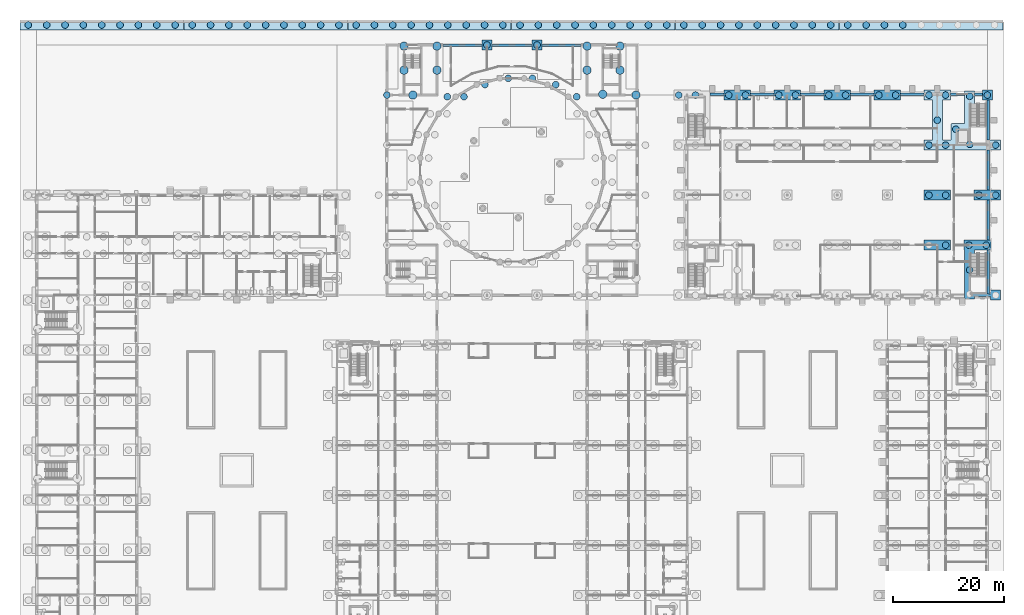
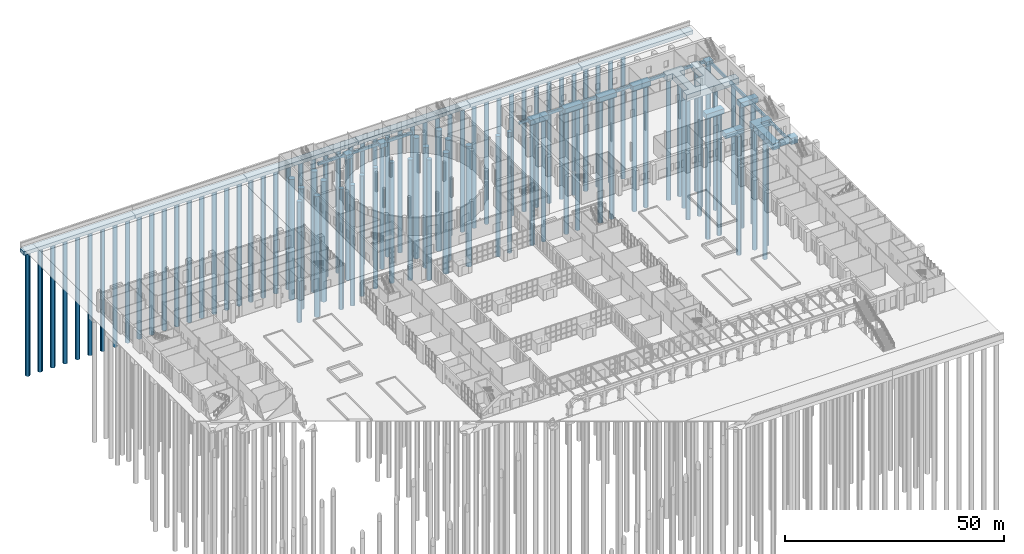
# One storey, part 8 of 168: 98 piles, 32 footings.
"""IFC4 building model written with IfcOpenShell, lengths in metres."""

from ifc_helpers import new_model, si_unit, direction, frame, origin, origin_2d, place, context, subcontext, project, spatial, polyline, circle, outline, extrude, material, material_profile, profile_set, type_object, element, save


model = new_model("IFC4")

# Units and contexts
model_context = context("Model", 3, precision=1e-05, world=origin(), true_north=direction((0.0, 1.0)))
body_context = subcontext(model_context, "Body", "Model", "MODEL_VIEW")
ifc_project = project(units=[si_unit("LENGTHUNIT", "METRE"), si_unit("AREAUNIT", "SQUARE_METRE"), si_unit("VOLUMEUNIT", "CUBIC_METRE"), si_unit("PLANEANGLEUNIT", "RADIAN"), si_unit("MASSUNIT", "GRAM", prefix="KILO")], contexts=[model_context])

# Site, building, storey
site_placement = place(None, origin())
site = spatial("IfcSite", under=ifc_project, at=site_placement, CompositionType="ELEMENT")
building_placement = place(site_placement, origin())
building = spatial("IfcBuilding", under=site, at=building_placement, Name="Golden Quay Civic Hall", CompositionType="ELEMENT")
storey_placement = place(building_placement, origin())
storey = spatial("IfcBuildingStorey", under=building, at=storey_placement, Name="L00", CompositionType="ELEMENT", Elevation=0.0)

# Piles
ifc_material_1 = material(Name="Concrete C40/50", Category="concrete")
ifc_material_profile_1 = material_profile(ifc_material_1, circle(Radius=0.60009765625, at=origin_2d()), Name="RC D1200")
ifc_profile_set_1 = profile_set([ifc_material_profile_1], Name="Concrete C40/50")
pile_type_1 = type_object("IfcPileType", Name="Bored pile 1200", PredefinedType="BORED", material=ifc_profile_set_1)
for number, where, z_axis, x_axis, name in (
    (1, (63.0, 99.0, -2.300048828125), (0.0, 0.0, -1.0), (1.0, 0.0, 0.0), "PL1 bored pile"),
    (2, (73.868896484375, 98.702880859375, -2.300048828125), (0.0, 0.0, -1.0), (1.0, 0.0, 0.0), "PL1 bored pile"),
    (3, (76.868896484375, 98.702880859375, -2.300048828125), (0.0, 0.0, -1.0), (1.0, 0.0, 0.0), "PL1 bored pile"),
    (4, (80.631103515625, 100.8759765625, -2.300048828125), (0.0, 0.0, -1.0), (1.0, 0.0, 0.0), "PL1 bored pile"),
    (5, (84.827880859375, 102.0, -2.300048828125), (0.0, 0.0, -1.0), (1.0, 0.0, 0.0), "PL1 bored pile"),
    (6, (89.172119140625, 102.0, -2.300048828125), (0.0, 0.0, -1.0), (1.0, 0.0, 0.0), "PL1 bored pile"),
    (7, (93.368896484375, 100.8759765625, -2.300048828125), (0.0, 0.0, -1.0), (1.0, 0.0, 0.0), "PL1 bored pile"),
    (8, (97.131103515625, 98.702880859375, -2.300048828125), (0.0, 0.0, -1.0), (1.0, 0.0, 0.0), "PL1 bored pile"),
):
    element("IfcPile", number, at=place(storey_placement, frame(where, z_axis=z_axis, x_axis=x_axis)), inside=storey, type_object=pile_type_1, Name=name, PredefinedType="BORED", context=body_context, shape_type="SweptSolid", body=[
        extrude(circle(Radius=0.60009765625, at=origin_2d()), origin(), (0.0, 0.0, 1.0), 33.699951171875),
    ])
for number, where, z_axis, x_axis, name in (
    (9, (81.0, 108.0, -1.699951171875), (0.0, 0.0, -1.0), (1.0, 0.0, 0.0), "PL1 bored pile"),
    (10, (90.0, 108.0, -1.699951171875), (0.0, 0.0, -1.0), (1.0, 0.0, 0.0), "PL1 bored pile"),
):
    element("IfcPile", number, at=place(storey_placement, frame(where, z_axis=z_axis, x_axis=x_axis)), inside=storey, type_object=pile_type_1, Name=name, PredefinedType="BORED", context=body_context, shape_type="SweptSolid", body=[
        extrude(circle(Radius=0.60009765625, at=origin_2d()), origin(), (0.0, 0.0, 1.0), 34.300048828125),
    ])
for number, where, z_axis, x_axis, name in (
    (11, (115.5, 99.0, -2.300048828125), (0.0, 0.0, -1.0), (1.0, 0.0, 0.0), "PL1 bored pile"),
    (12, (118.5, 99.0, -2.300048828125), (0.0, 0.0, -1.0), (1.0, 0.0, 0.0), "PL1 bored pile"),
):
    element("IfcPile", number, at=place(storey_placement, frame(where, z_axis=z_axis, x_axis=x_axis)), inside=storey, type_object=pile_type_1, Name=name, PredefinedType="BORED", context=body_context, shape_type="SweptSolid", body=[
        extrude(circle(Radius=0.60009765625, at=origin_2d()), origin(), (0.0, 0.0, 1.0), 33.699951171875),
    ])
for number, where, z_axis, x_axis, name in (
    (13, (124.5, 99.0, -1.89990234375), (0.0, 0.0, -1.0), (1.0, 0.0, 0.0), "PL1 bored pile"),
    (14, (127.5, 99.0, -1.89990234375), (0.0, 0.0, -1.0), (1.0, 0.0, 0.0), "PL1 bored pile"),
    (15, (133.5, 99.0, -1.89990234375), (0.0, 0.0, -1.0), (1.0, 0.0, 0.0), "PL1 bored pile"),
    (16, (136.5, 99.0, -1.89990234375), (0.0, 0.0, -1.0), (1.0, 0.0, 0.0), "PL1 bored pile"),
    (17, (142.5, 99.0, -1.89990234375), (0.0, 0.0, -1.0), (1.0, 0.0, 0.0), "PL1 bored pile"),
    (18, (145.5, 99.0, -1.89990234375), (0.0, 0.0, -1.0), (1.0, 0.0, 0.0), "PL1 bored pile"),
    (19, (151.5, 99.0, -1.89990234375), (0.0, 0.0, -1.0), (1.0, 0.0, 0.0), "PL1 bored pile"),
    (20, (154.5, 99.0, -1.89990234375), (0.0, 0.0, -1.0), (1.0, 0.0, 0.0), "PL1 bored pile"),
    (21, (163.5, 72.0, -1.89990234375), (0.0, 0.0, -1.0), (1.0, 0.0, 0.0), "PL1 bored pile"),
    (22, (160.5, 81.0, -1.89990234375), (0.0, 0.0, -1.0), (1.0, 0.0, 0.0), "PL1 bored pile"),
    (23, (163.5, 81.0, -1.89990234375), (0.0, 0.0, -1.0), (1.0, 0.0, 0.0), "PL1 bored pile"),
):
    element("IfcPile", number, at=place(storey_placement, frame(where, z_axis=z_axis, x_axis=x_axis)), inside=storey, type_object=pile_type_1, Name=name, PredefinedType="BORED", context=body_context, shape_type="SweptSolid", body=[
        extrude(circle(Radius=0.60009765625, at=origin_2d()), origin(), (0.0, 0.0, 1.0), 34.10009765625),
    ])
for number, where, z_axis, x_axis, name in (
    (24, (160.5, 90.0, -2.300048828125), (0.0, 0.0, -1.0), (1.0, 0.0, 0.0), "PL1 bored pile"),
    (25, (160.5, 99.0, -2.300048828125), (0.0, 0.0, -1.0), (1.0, 0.0, 0.0), "PL1 bored pile"),
    (26, (162.0, 94.47509765625, -2.300048828125), (0.0, 0.0, -1.0), (1.0, 0.0, 0.0), "PL1 bored pile"),
    (27, (163.5, 90.0, -2.300048828125), (0.0, 0.0, -1.0), (1.0, 0.0, 0.0), "PL1 bored pile"),
    (28, (163.5, 99.0, -2.300048828125), (0.0, 0.0, -1.0), (1.0, 0.0, 0.0), "PL1 bored pile"),
    (29, (165.35009765625, 92.85009765625, -2.300048828125), (0.0, 0.0, -1.0), (1.0, 0.0, 0.0), "PL1 bored pile"),
    (30, (167.824951171875, 90.125, -2.300048828125), (0.0, 0.0, -1.0), (1.0, 0.0, 0.0), "PL1 bored pile"),
    (31, (167.824951171875, 98.800048828125, -2.300048828125), (0.0, 0.0, -1.0), (1.0, 0.0, 0.0), "PL1 bored pile"),
    (32, (172.5, 90.0, -2.300048828125), (0.0, 0.0, -1.0), (1.0, 0.0, 0.0), "PL1 bored pile"),
    (33, (167.699951171875, 72.0, -2.300048828125), (0.0, 0.0, -1.0), (1.0, 0.0, 0.0), "PL1 bored pile"),
    (34, (167.824951171875, 67.537109375, -2.300048828125), (0.0, 0.0, -1.0), (1.0, 0.0, 0.0), "PL1 bored pile"),
    (35, (170.800048828125, 72.0, -2.300048828125), (0.0, 0.0, -1.0), (1.0, 0.0, 0.0), "PL1 bored pile"),
):
    element("IfcPile", number, at=place(storey_placement, frame(where, z_axis=z_axis, x_axis=x_axis)), inside=storey, type_object=pile_type_1, Name=name, PredefinedType="BORED", context=body_context, shape_type="SweptSolid", body=[
        extrude(circle(Radius=0.60009765625, at=origin_2d()), origin(), (0.0, 0.0, 1.0), 33.699951171875),
    ])
for number, where, z_axis, x_axis, name in (
    (36, (169.5, 81.0, -1.89990234375), (0.0, 0.0, -1.0), (1.0, 0.0, 0.0), "PL1 bored pile"),
    (37, (172.5, 81.0, -1.89990234375), (0.0, 0.0, -1.0), (1.0, 0.0, 0.0), "PL1 bored pile"),
):
    element("IfcPile", number, at=place(storey_placement, frame(where, z_axis=z_axis, x_axis=x_axis)), inside=storey, type_object=pile_type_1, Name=name, PredefinedType="BORED", context=body_context, shape_type="SweptSolid", body=[
        extrude(circle(Radius=0.60009765625, at=origin_2d()), origin(), (0.0, 0.0, 1.0), 34.10009765625),
    ])
pile_placement = place(storey_placement, frame((171.0, 99.0, -1.699951171875), z_axis=(0.0, 0.0, -1.0), x_axis=(1.0, 0.0, 0.0)))
element("IfcPile", 38, at=pile_placement, inside=storey, type_object=pile_type_1, Name="PL1 bored pile", PredefinedType="BORED", context=body_context, shape_type="SweptSolid", body=[
    extrude(circle(Radius=0.60009765625, at=origin_2d()), origin(), (0.0, 0.0, 1.0), 34.300048828125),
])
for number, where, z_axis, x_axis, name in (
    (39, (-1.5, 111.60009765625, -1.60009765625), (0.0, 0.0, -1.0), (1.0, 0.0, 0.0), "PL1 bored pile"),
    (40, (1.800048828125, 111.60009765625, -1.60009765625), (0.0, 0.0, -1.0), (1.0, 0.0, 0.0), "PL1 bored pile"),
    (41, (5.10009765625, 111.60009765625, -1.60009765625), (0.0, 0.0, -1.0), (1.0, 0.0, 0.0), "PL1 bored pile"),
    (42, (8.39990234375, 111.60009765625, -1.60009765625), (0.0, 0.0, -1.0), (1.0, 0.0, 0.0), "PL1 bored pile"),
    (43, (11.699951171875, 111.60009765625, -1.60009765625), (0.0, 0.0, -1.0), (1.0, 0.0, 0.0), "PL1 bored pile"),
    (44, (15.0, 111.60009765625, -1.60009765625), (0.0, 0.0, -1.0), (1.0, 0.0, 0.0), "PL1 bored pile"),
    (45, (18.300048828125, 111.60009765625, -1.60009765625), (0.0, 0.0, -1.0), (1.0, 0.0, 0.0), "PL1 bored pile"),
    (46, (21.60009765625, 111.60009765625, -1.60009765625), (0.0, 0.0, -1.0), (1.0, 0.0, 0.0), "PL1 bored pile"),
    (47, (24.89990234375, 111.60009765625, -1.60009765625), (0.0, 0.0, -1.0), (1.0, 0.0, 0.0), "PL1 bored pile"),
    (48, (27.97998046875, 111.60009765625, -1.60009765625), (0.0, 0.0, -1.0), (1.0, 0.0, 0.0), "PL1 bored pile"),
    (49, (31.280029296875, 111.60009765625, -1.60009765625), (0.0, 0.0, -1.0), (1.0, 0.0, 0.0), "PL1 bored pile"),
    (50, (34.580078125, 111.60009765625, -1.60009765625), (0.0, 0.0, -1.0), (1.0, 0.0, 0.0), "PL1 bored pile"),
    (51, (37.8798828125, 111.60009765625, -1.60009765625), (0.0, 0.0, -1.0), (1.0, 0.0, 0.0), "PL1 bored pile"),
    (52, (41.179931640625, 111.60009765625, -1.60009765625), (0.0, 0.0, -1.0), (1.0, 0.0, 0.0), "PL1 bored pile"),
    (53, (44.47998046875, 111.60009765625, -1.60009765625), (0.0, 0.0, -1.0), (1.0, 0.0, 0.0), "PL1 bored pile"),
    (54, (47.780029296875, 111.60009765625, -1.60009765625), (0.0, 0.0, -1.0), (1.0, 0.0, 0.0), "PL1 bored pile"),
    (55, (51.080078125, 111.60009765625, -1.60009765625), (0.0, 0.0, -1.0), (1.0, 0.0, 0.0), "PL1 bored pile"),
    (56, (54.3798828125, 111.60009765625, -1.60009765625), (0.0, 0.0, -1.0), (1.0, 0.0, 0.0), "PL1 bored pile"),
    (57, (57.4599609375, 111.60009765625, -1.60009765625), (0.0, 0.0, -1.0), (1.0, 0.0, 0.0), "PL1 bored pile"),
    (58, (60.760009765625, 111.60009765625, -1.60009765625), (0.0, 0.0, -1.0), (1.0, 0.0, 0.0), "PL1 bored pile"),
    (59, (64.06005859375, 111.60009765625, -1.60009765625), (0.0, 0.0, -1.0), (1.0, 0.0, 0.0), "PL1 bored pile"),
    (60, (67.360107421875, 111.60009765625, -1.60009765625), (0.0, 0.0, -1.0), (1.0, 0.0, 0.0), "PL1 bored pile"),
    (61, (70.659912109375, 111.60009765625, -1.60009765625), (0.0, 0.0, -1.0), (1.0, 0.0, 0.0), "PL1 bored pile"),
    (62, (73.9599609375, 111.60009765625, -1.60009765625), (0.0, 0.0, -1.0), (1.0, 0.0, 0.0), "PL1 bored pile"),
    (63, (77.260009765625, 111.60009765625, -1.60009765625), (0.0, 0.0, -1.0), (1.0, 0.0, 0.0), "PL1 bored pile"),
    (64, (80.56005859375, 111.60009765625, -1.60009765625), (0.0, 0.0, -1.0), (1.0, 0.0, 0.0), "PL1 bored pile"),
    (65, (83.860107421875, 111.60009765625, -1.60009765625), (0.0, 0.0, -1.0), (1.0, 0.0, 0.0), "PL1 bored pile"),
    (66, (86.93994140625, 111.60009765625, -1.60009765625), (0.0, 0.0, -1.0), (1.0, 0.0, 0.0), "PL1 bored pile"),
    (67, (90.239990234375, 111.60009765625, -1.60009765625), (0.0, 0.0, -1.0), (1.0, 0.0, 0.0), "PL1 bored pile"),
    (68, (93.5400390625, 111.60009765625, -1.60009765625), (0.0, 0.0, -1.0), (1.0, 0.0, 0.0), "PL1 bored pile"),
    (69, (96.840087890625, 111.60009765625, -1.60009765625), (0.0, 0.0, -1.0), (1.0, 0.0, 0.0), "PL1 bored pile"),
    (70, (100.139892578125, 111.60009765625, -1.60009765625), (0.0, 0.0, -1.0), (1.0, 0.0, 0.0), "PL1 bored pile"),
    (71, (103.43994140625, 111.60009765625, -1.60009765625), (0.0, 0.0, -1.0), (1.0, 0.0, 0.0), "PL1 bored pile"),
    (72, (106.739990234375, 111.60009765625, -1.60009765625), (0.0, 0.0, -1.0), (1.0, 0.0, 0.0), "PL1 bored pile"),
    (73, (110.0400390625, 111.60009765625, -1.60009765625), (0.0, 0.0, -1.0), (1.0, 0.0, 0.0), "PL1 bored pile"),
    (74, (113.340087890625, 111.60009765625, -1.60009765625), (0.0, 0.0, -1.0), (1.0, 0.0, 0.0), "PL1 bored pile"),
    (75, (116.419921875, 111.60009765625, -1.60009765625), (0.0, 0.0, -1.0), (1.0, 0.0, 0.0), "PL1 bored pile"),
    (76, (119.719970703125, 111.60009765625, -1.60009765625), (0.0, 0.0, -1.0), (1.0, 0.0, 0.0), "PL1 bored pile"),
    (77, (123.02001953125, 111.60009765625, -1.60009765625), (0.0, 0.0, -1.0), (1.0, 0.0, 0.0), "PL1 bored pile"),
    (78, (126.320068359375, 111.60009765625, -1.60009765625), (0.0, 0.0, -1.0), (1.0, 0.0, 0.0), "PL1 bored pile"),
    (79, (129.6201171875, 111.60009765625, -1.60009765625), (0.0, 0.0, -1.0), (1.0, 0.0, 0.0), "PL1 bored pile"),
    (80, (132.919921875, 111.60009765625, -1.60009765625), (0.0, 0.0, -1.0), (1.0, 0.0, 0.0), "PL1 bored pile"),
    (81, (136.219970703125, 111.60009765625, -1.60009765625), (0.0, 0.0, -1.0), (1.0, 0.0, 0.0), "PL1 bored pile"),
    (82, (139.52001953125, 111.60009765625, -1.60009765625), (0.0, 0.0, -1.0), (1.0, 0.0, 0.0), "PL1 bored pile"),
    (83, (142.820068359375, 111.60009765625, -1.60009765625), (0.0, 0.0, -1.0), (1.0, 0.0, 0.0), "PL1 bored pile"),
    (84, (145.89990234375, 111.60009765625, -1.60009765625), (0.0, 0.0, -1.0), (1.0, 0.0, 0.0), "PL1 bored pile"),
    (85, (149.199951171875, 111.60009765625, -1.60009765625), (0.0, 0.0, -1.0), (1.0, 0.0, 0.0), "PL1 bored pile"),
    (86, (152.5, 111.60009765625, -1.60009765625), (0.0, 0.0, -1.0), (1.0, 0.0, 0.0), "PL1 bored pile"),
    (87, (155.800048828125, 111.60009765625, -1.60009765625), (0.0, 0.0, -1.0), (1.0, 0.0, 0.0), "PL1 bored pile"),
):
    element("IfcPile", number, at=place(storey_placement, frame(where, z_axis=z_axis, x_axis=x_axis)), inside=storey, type_object=pile_type_1, Name=name, PredefinedType="BORED", context=body_context, shape_type="SweptSolid", body=[
        extrude(circle(Radius=0.60009765625, at=origin_2d()), origin(), (0.0, 0.0, 1.0), 34.39990234375),
    ])
ifc_material_2 = material(Name="Concrete C40/50", Category="concrete")
ifc_material_profile_2 = material_profile(ifc_material_2, circle(Radius=0.75, at=origin_2d()), Name="RC D1500")
ifc_profile_set_2 = profile_set([ifc_material_profile_2], Name="Concrete C40/50")
pile_type_2 = type_object("IfcPileType", Name="Bored pile 1500", PredefinedType="BORED", material=ifc_profile_set_2)
for number, where, z_axis, x_axis, name in (
    (88, (66.074951171875, 103.47509765625, -2.300048828125), (0.0, 0.0, -1.0), (1.0, 0.0, 0.0), "PL2 bored pile"),
    (89, (66.074951171875, 107.800048828125, -2.300048828125), (0.0, 0.0, -1.0), (1.0, 0.0, 0.0), "PL2 bored pile"),
    (90, (67.675048828125, 99.0, -2.300048828125), (0.0, 0.0, -1.0), (1.0, 0.0, 0.0), "PL2 bored pile"),
    (91, (72.0, 103.47509765625, -2.300048828125), (0.0, 0.0, -1.0), (1.0, 0.0, 0.0), "PL2 bored pile"),
    (92, (72.0, 107.800048828125, -2.300048828125), (0.0, 0.0, -1.0), (1.0, 0.0, 0.0), "PL2 bored pile"),
    (93, (99.0, 103.47509765625, -2.300048828125), (0.0, 0.0, -1.0), (1.0, 0.0, 0.0), "PL2 bored pile"),
    (94, (99.0, 107.800048828125, -2.300048828125), (0.0, 0.0, -1.0), (1.0, 0.0, 0.0), "PL2 bored pile"),
    (95, (101.824951171875, 99.14990234375, -2.300048828125), (0.0, 0.0, -1.0), (1.0, 0.0, 0.0), "PL2 bored pile"),
    (96, (104.925048828125, 103.47509765625, -2.300048828125), (0.0, 0.0, -1.0), (1.0, 0.0, 0.0), "PL2 bored pile"),
    (97, (104.925048828125, 107.800048828125, -2.300048828125), (0.0, 0.0, -1.0), (1.0, 0.0, 0.0), "PL2 bored pile"),
    (98, (107.800048828125, 99.0, -2.300048828125), (0.0, 0.0, -1.0), (1.0, 0.0, 0.0), "PL2 bored pile"),
):
    element("IfcPile", number, at=place(storey_placement, frame(where, z_axis=z_axis, x_axis=x_axis)), inside=storey, type_object=pile_type_2, Name=name, PredefinedType="BORED", context=body_context, shape_type="SweptSolid", body=[
        extrude(circle(Radius=0.75, at=origin_2d()), origin(), (0.0, 0.0, 1.0), 33.699951171875),
    ])

# Footings
ifc_material_3 = material(Name="Concrete C40/50", Category="concrete")
footing_type_1 = type_object("IfcFootingType", Name="Boundary strip footing 1000 deep on 1200 mm piles", PredefinedType="STRIP_FOOTING", material=ifc_material_3)
footing_1_placement = place(storey_placement, frame((0.0, 0.0, -1.60009765625)))
element("IfcFooting", 99, at=footing_1_placement, inside=storey, type_object=footing_type_1, Name="Boundary strip footing run N1", PredefinedType="STRIP_FOOTING", context=body_context, shape_type="SweptSolid", body=[
    extrude(outline(polyline([(-3.0, 110.699951171875), (26.39990234375, 110.699951171875), (26.39990234375, 112.5), (-3.0, 112.5), (-3.0, 110.699951171875)])), origin(), (0.0, 0.0, 1.0), 1.0),
])
footing_2_placement = place(storey_placement, frame((0.0, 0.0, -1.60009765625)))
element("IfcFooting", 100, at=footing_2_placement, inside=storey, type_object=footing_type_1, Name="Boundary strip footing run N2", PredefinedType="STRIP_FOOTING", context=body_context, shape_type="SweptSolid", body=[
    extrude(outline(polyline([(26.47998046875, 110.699951171875), (55.8798828125, 110.699951171875), (55.8798828125, 112.5), (26.47998046875, 112.5), (26.47998046875, 110.699951171875)])), origin(), (0.0, 0.0, 1.0), 1.0),
])
footing_3_placement = place(storey_placement, frame((0.0, 0.0, -1.60009765625)))
element("IfcFooting", 101, at=footing_3_placement, inside=storey, type_object=footing_type_1, Name="Boundary strip footing run N3", PredefinedType="STRIP_FOOTING", context=body_context, shape_type="SweptSolid", body=[
    extrude(outline(polyline([(55.9599609375, 110.699951171875), (85.360107421875, 110.699951171875), (85.360107421875, 112.5), (55.9599609375, 112.5), (55.9599609375, 110.699951171875)])), origin(), (0.0, 0.0, 1.0), 1.0),
])
footing_4_placement = place(storey_placement, frame((0.0, 0.0, -1.60009765625)))
element("IfcFooting", 102, at=footing_4_placement, inside=storey, type_object=footing_type_1, Name="Boundary strip footing run N4", PredefinedType="STRIP_FOOTING", context=body_context, shape_type="SweptSolid", body=[
    extrude(outline(polyline([(85.43994140625, 110.699951171875), (114.840087890625, 110.699951171875), (114.840087890625, 112.5), (85.43994140625, 112.5), (85.43994140625, 110.699951171875)])), origin(), (0.0, 0.0, 1.0), 1.0),
])
footing_5_placement = place(storey_placement, frame((0.0, 0.0, -1.60009765625)))
element("IfcFooting", 103, at=footing_5_placement, inside=storey, type_object=footing_type_1, Name="Boundary strip footing run N5", PredefinedType="STRIP_FOOTING", context=body_context, shape_type="SweptSolid", body=[
    extrude(outline(polyline([(114.919921875, 110.699951171875), (144.320068359375, 110.699951171875), (144.320068359375, 112.5), (114.919921875, 112.5), (114.919921875, 110.699951171875)])), origin(), (0.0, 0.0, 1.0), 1.0),
])
footing_6_placement = place(storey_placement, frame((0.0, 0.0, -1.60009765625)))
element("IfcFooting", 104, at=footing_6_placement, inside=storey, type_object=footing_type_1, Name="Boundary strip footing run N6", PredefinedType="STRIP_FOOTING", context=body_context, shape_type="SweptSolid", body=[
    extrude(outline(polyline([(144.39990234375, 110.699951171875), (173.800048828125, 110.699951171875), (173.800048828125, 112.5), (144.39990234375, 112.5), (144.39990234375, 110.699951171875)])), origin(), (0.0, 0.0, 1.0), 1.0),
])
ifc_material_4 = material(Name="Concrete C40/50", Category="concrete")
footing_type_2 = type_object("IfcFootingType", Name="Ground beam 450 x 800", PredefinedType="FOOTING_BEAM", material=ifc_material_4)
footing_7_placement = place(storey_placement, frame((0.0, 0.0, -1.39990234375)))
element("IfcFooting", 105, at=footing_7_placement, inside=storey, type_object=footing_type_2, Name="F15 ground beam", PredefinedType="FOOTING_BEAM", context=body_context, shape_type="SweptSolid", body=[
    extrude(outline(polyline([(80.10009765625, 108.22509765625), (80.10009765625, 107.77490234375), (73.050048828125, 107.77490234375), (73.050048828125, 108.22509765625), (80.10009765625, 108.22509765625)])), origin(), (0.0, 0.0, 1.0), 0.7998046875),
])
footing_8_placement = place(storey_placement, frame((0.0, 0.0, -1.39990234375)))
element("IfcFooting", 106, at=footing_8_placement, inside=storey, type_object=footing_type_2, Name="F15 ground beam", PredefinedType="FOOTING_BEAM", context=body_context, shape_type="SweptSolid", body=[
    extrude(outline(polyline([(89.10009765625, 108.22509765625), (89.10009765625, 107.77490234375), (81.89990234375, 107.77490234375), (81.89990234375, 108.22509765625), (89.10009765625, 108.22509765625)])), origin(), (0.0, 0.0, 1.0), 0.7998046875),
])
footing_9_placement = place(storey_placement, frame((0.0, 0.0, -1.39990234375)))
element("IfcFooting", 107, at=footing_9_placement, inside=storey, type_object=footing_type_2, Name="F15 ground beam", PredefinedType="FOOTING_BEAM", context=body_context, shape_type="SweptSolid", body=[
    extrude(outline(polyline([(97.949951171875, 108.22509765625), (97.949951171875, 107.77490234375), (90.89990234375, 107.77490234375), (90.89990234375, 108.22509765625), (97.949951171875, 108.22509765625)])), origin(), (0.0, 0.0, 1.0), 0.7998046875),
])
footing_10_placement = place(storey_placement, frame((0.0, 0.0, -1.39990234375)))
element("IfcFooting", 108, at=footing_10_placement, inside=storey, type_object=footing_type_2, Name="F15 ground beam", PredefinedType="FOOTING_BEAM", context=body_context, shape_type="SweptSolid", body=[
    extrude(outline(polyline([(170.925048828125, 71.10009765625), (171.375, 71.10009765625), (171.375, 63.22998046875), (170.925048828125, 63.22998046875), (170.925048828125, 71.10009765625)])), origin(), (0.0, 0.0, 1.0), 0.7998046875),
])
footing_11_placement = place(storey_placement, frame((0.0, 0.0, -1.39990234375)))
element("IfcFooting", 109, at=footing_11_placement, inside=storey, type_object=footing_type_2, Name="F15 ground beam", PredefinedType="FOOTING_BEAM", context=body_context, shape_type="SweptSolid", body=[
    extrude(outline(polyline([(170.925048828125, 80.10009765625), (171.375, 80.10009765625), (171.375, 72.89990234375), (170.925048828125, 72.89990234375), (170.925048828125, 80.10009765625)])), origin(), (0.0, 0.0, 1.0), 0.7998046875),
])
footing_12_placement = place(storey_placement, frame((0.0, 0.0, -1.39990234375)))
element("IfcFooting", 110, at=footing_12_placement, inside=storey, type_object=footing_type_2, Name="F15 ground beam", PredefinedType="FOOTING_BEAM", context=body_context, shape_type="SweptSolid", body=[
    extrude(outline(polyline([(170.925048828125, 89.10009765625), (171.375, 89.10009765625), (171.375, 81.89990234375), (170.925048828125, 81.89990234375), (170.925048828125, 89.10009765625)])), origin(), (0.0, 0.0, 1.0), 0.7998046875),
])
footing_13_placement = place(storey_placement, frame((0.0, 0.0, -1.39990234375)))
element("IfcFooting", 111, at=footing_13_placement, inside=storey, type_object=footing_type_2, Name="F15 ground beam", PredefinedType="FOOTING_BEAM", context=body_context, shape_type="SweptSolid", body=[
    extrude(outline(polyline([(170.925048828125, 98.10009765625), (171.375, 98.10009765625), (171.375, 90.89990234375), (170.925048828125, 90.89990234375), (170.925048828125, 98.10009765625)])), origin(), (0.0, 0.0, 1.0), 0.7998046875),
])
footing_14_placement = place(storey_placement, frame((0.0, 0.0, -1.39990234375)))
element("IfcFooting", 112, at=footing_14_placement, inside=storey, type_object=footing_type_2, Name="F15 ground beam", PredefinedType="FOOTING_BEAM", context=body_context, shape_type="SweptSolid", body=[
    extrude(outline(polyline([(123.60009765625, 99.375), (123.60009765625, 98.925048828125), (121.074951171875, 98.925048828125), (121.074951171875, 99.375), (123.60009765625, 99.375)])), origin(), (0.0, 0.0, 1.0), 0.7998046875),
])
footing_15_placement = place(storey_placement, frame((0.0, 0.0, -1.39990234375)))
element("IfcFooting", 113, at=footing_15_placement, inside=storey, type_object=footing_type_2, Name="F15 ground beam", PredefinedType="FOOTING_BEAM", context=body_context, shape_type="SweptSolid", body=[
    extrude(outline(polyline([(132.60009765625, 99.375), (132.60009765625, 98.925048828125), (128.39990234375, 98.925048828125), (128.39990234375, 99.375), (132.60009765625, 99.375)])), origin(), (0.0, 0.0, 1.0), 0.7998046875),
])
footing_16_placement = place(storey_placement, frame((0.0, 0.0, -1.39990234375)))
element("IfcFooting", 114, at=footing_16_placement, inside=storey, type_object=footing_type_2, Name="F15 ground beam", PredefinedType="FOOTING_BEAM", context=body_context, shape_type="SweptSolid", body=[
    extrude(outline(polyline([(141.60009765625, 99.375), (141.60009765625, 98.925048828125), (137.39990234375, 98.925048828125), (137.39990234375, 99.375), (141.60009765625, 99.375)])), origin(), (0.0, 0.0, 1.0), 0.7998046875),
])
footing_17_placement = place(storey_placement, frame((0.0, 0.0, -1.39990234375)))
element("IfcFooting", 115, at=footing_17_placement, inside=storey, type_object=footing_type_2, Name="F15 ground beam", PredefinedType="FOOTING_BEAM", context=body_context, shape_type="SweptSolid", body=[
    extrude(outline(polyline([(150.60009765625, 99.375), (150.60009765625, 98.925048828125), (146.39990234375, 98.925048828125), (146.39990234375, 99.375), (150.60009765625, 99.375)])), origin(), (0.0, 0.0, 1.0), 0.7998046875),
])
footing_18_placement = place(storey_placement, frame((0.0, 0.0, -1.39990234375)))
element("IfcFooting", 116, at=footing_18_placement, inside=storey, type_object=footing_type_2, Name="F15 ground beam", PredefinedType="FOOTING_BEAM", context=body_context, shape_type="SweptSolid", body=[
    extrude(outline(polyline([(159.60009765625, 99.375), (159.60009765625, 98.925048828125), (155.39990234375, 98.925048828125), (155.39990234375, 99.375), (159.60009765625, 99.375)])), origin(), (0.0, 0.0, 1.0), 0.7998046875),
])
footing_19_placement = place(storey_placement, frame((0.0, 0.0, -1.39990234375)))
element("IfcFooting", 117, at=footing_19_placement, inside=storey, type_object=footing_type_2, Name="F15 ground beam", PredefinedType="FOOTING_BEAM", context=body_context, shape_type="SweptSolid", body=[
    extrude(outline(polyline([(166.925048828125, 99.375), (166.925048828125, 98.925048828125), (164.39990234375, 98.925048828125), (164.39990234375, 99.375), (166.925048828125, 99.375)])), origin(), (0.0, 0.0, 1.0), 0.7998046875),
])
footing_20_placement = place(storey_placement, frame((0.0, 0.0, -1.39990234375)))
element("IfcFooting", 118, at=footing_20_placement, inside=storey, type_object=footing_type_2, Name="F15 ground beam", PredefinedType="FOOTING_BEAM", context=body_context, shape_type="SweptSolid", body=[
    extrude(outline(polyline([(170.10009765625, 99.375), (170.10009765625, 98.925048828125), (168.72509765625, 98.925048828125), (168.72509765625, 99.375), (170.10009765625, 99.375)])), origin(), (0.0, 0.0, 1.0), 0.7998046875),
])
ifc_material_5 = material(Name="Concrete C40/50", Category="concrete")
footing_type_3 = type_object("IfcFootingType", Name="Pile cap 1 pile 1800 x 1800 x 1200", PredefinedType="PILE_CAP", material=ifc_material_5)
footing_21_placement = place(storey_placement, frame((0.0, 0.0, -1.800048828125)))
element("IfcFooting", 119, at=footing_21_placement, inside=storey, type_object=footing_type_3, Name="F10 pile cap", PredefinedType="PILE_CAP", context=body_context, shape_type="SweptSolid", body=[
    extrude(outline(polyline([(81.89990234375, 107.10009765625), (81.89990234375, 108.89990234375), (80.10009765625, 108.89990234375), (80.10009765625, 107.10009765625), (81.89990234375, 107.10009765625)])), origin(), (0.0, 0.0, 1.0), 1.199951171875),
])
footing_22_placement = place(storey_placement, frame((0.0, 0.0, -1.800048828125)))
element("IfcFooting", 120, at=footing_22_placement, inside=storey, type_object=footing_type_3, Name="F10 pile cap", PredefinedType="PILE_CAP", context=body_context, shape_type="SweptSolid", body=[
    extrude(outline(polyline([(90.89990234375, 107.10009765625), (90.89990234375, 108.89990234375), (89.10009765625, 108.89990234375), (89.10009765625, 107.10009765625), (90.89990234375, 107.10009765625)])), origin(), (0.0, 0.0, 1.0), 1.199951171875),
])
footing_23_placement = place(storey_placement, frame((0.0, 0.0, -1.800048828125)))
element("IfcFooting", 121, at=footing_23_placement, inside=storey, type_object=footing_type_3, Name="F10 pile cap", PredefinedType="PILE_CAP", context=body_context, shape_type="SweptSolid", body=[
    extrude(outline(polyline([(171.89990234375, 98.10009765625), (171.89990234375, 99.89990234375), (170.10009765625, 99.89990234375), (170.10009765625, 98.10009765625), (171.89990234375, 98.10009765625)])), origin(), (0.0, 0.0, 1.0), 1.199951171875),
])
ifc_material_6 = material(Name="Concrete C40/50", Category="concrete")
footing_type_4 = type_object("IfcFootingType", Name="Pile cap 2 piles 4800 x 1800 x 1400", PredefinedType="PILE_CAP", material=ifc_material_6)
footing_24_placement = place(storey_placement, frame((0.0, 0.0, -2.0)))
element("IfcFooting", 122, at=footing_24_placement, inside=storey, type_object=footing_type_4, Name="F4 pile cap", PredefinedType="PILE_CAP", context=body_context, shape_type="SweptSolid", body=[
    extrude(outline(polyline([(128.39990234375, 98.10009765625), (128.39990234375, 99.89990234375), (123.60009765625, 99.89990234375), (123.60009765625, 98.10009765625), (128.39990234375, 98.10009765625)])), origin(), (0.0, 0.0, 1.0), 1.39990234375),
])
footing_25_placement = place(storey_placement, frame((0.0, 0.0, -2.0)))
element("IfcFooting", 123, at=footing_25_placement, inside=storey, type_object=footing_type_4, Name="F4 pile cap", PredefinedType="PILE_CAP", context=body_context, shape_type="SweptSolid", body=[
    extrude(outline(polyline([(137.39990234375, 98.10009765625), (137.39990234375, 99.89990234375), (132.60009765625, 99.89990234375), (132.60009765625, 98.10009765625), (137.39990234375, 98.10009765625)])), origin(), (0.0, 0.0, 1.0), 1.39990234375),
])
footing_26_placement = place(storey_placement, frame((0.0, 0.0, -2.0)))
element("IfcFooting", 124, at=footing_26_placement, inside=storey, type_object=footing_type_4, Name="F4 pile cap", PredefinedType="PILE_CAP", context=body_context, shape_type="SweptSolid", body=[
    extrude(outline(polyline([(146.39990234375, 98.10009765625), (146.39990234375, 99.89990234375), (141.60009765625, 99.89990234375), (141.60009765625, 98.10009765625), (146.39990234375, 98.10009765625)])), origin(), (0.0, 0.0, 1.0), 1.39990234375),
])
footing_27_placement = place(storey_placement, frame((0.0, 0.0, -2.0)))
element("IfcFooting", 125, at=footing_27_placement, inside=storey, type_object=footing_type_4, Name="F4 pile cap", PredefinedType="PILE_CAP", context=body_context, shape_type="SweptSolid", body=[
    extrude(outline(polyline([(155.39990234375, 98.10009765625), (155.39990234375, 99.89990234375), (150.60009765625, 99.89990234375), (150.60009765625, 98.10009765625), (155.39990234375, 98.10009765625)])), origin(), (0.0, 0.0, 1.0), 1.39990234375),
])
footing_28_placement = place(storey_placement, frame((0.0, 0.0, -2.0)))
element("IfcFooting", 126, at=footing_28_placement, inside=storey, type_object=footing_type_4, Name="F4 pile cap", PredefinedType="PILE_CAP", context=body_context, shape_type="SweptSolid", body=[
    extrude(outline(polyline([(164.39990234375, 71.10009765625), (164.39990234375, 72.89990234375), (159.60009765625, 72.89990234375), (159.60009765625, 71.10009765625), (164.39990234375, 71.10009765625)])), origin(), (0.0, 0.0, 1.0), 1.39990234375),
])
footing_29_placement = place(storey_placement, frame((0.0, 0.0, -2.0)))
element("IfcFooting", 127, at=footing_29_placement, inside=storey, type_object=footing_type_4, Name="F4 pile cap", PredefinedType="PILE_CAP", context=body_context, shape_type="SweptSolid", body=[
    extrude(outline(polyline([(164.39990234375, 80.10009765625), (164.39990234375, 81.89990234375), (159.60009765625, 81.89990234375), (159.60009765625, 80.10009765625), (164.39990234375, 80.10009765625)])), origin(), (0.0, 0.0, 1.0), 1.39990234375),
])
footing_30_placement = place(storey_placement, frame((0.0, 0.0, -2.0)))
element("IfcFooting", 128, at=footing_30_placement, inside=storey, type_object=footing_type_4, Name="F4 pile cap", PredefinedType="PILE_CAP", context=body_context, shape_type="SweptSolid", body=[
    extrude(outline(polyline([(173.39990234375, 80.10009765625), (173.39990234375, 81.89990234375), (168.60009765625, 81.89990234375), (168.60009765625, 80.10009765625), (173.39990234375, 80.10009765625)])), origin(), (0.0, 0.0, 1.0), 1.39990234375),
])
ifc_material_7 = material(Name="Concrete C40/50", Category="concrete")
footing_type_5 = type_object("IfcFootingType", Name="Pile raft 1800 deep on 1200 mm piles", PredefinedType="PILE_CAP", material=ifc_material_7)
footing_31_placement = place(storey_placement, frame((0.0, 0.0, -2.39990234375)))
element("IfcFooting", 129, at=footing_31_placement, inside=storey, type_object=footing_type_5, Name="F11 pile cap", PredefinedType="PILE_CAP", context=body_context, shape_type="SweptSolid", body=[
    extrude(outline(polyline([(161.10009765625, 98.10009765625), (159.60009765625, 98.10009765625), (159.60009765625, 99.89990234375), (164.39990234375, 99.89990234375), (164.39990234375, 98.10009765625), (162.89990234375, 98.10009765625), (162.89990234375, 90.89990234375), (164.449951171875, 90.89990234375), (164.449951171875, 93.75), (164.574951171875, 93.75), (164.574951171875, 93.875), (166.925048828125, 93.875), (166.925048828125, 99.699951171875), (168.72509765625, 99.699951171875), (168.72509765625, 90.89990234375), (173.39990234375, 90.89990234375), (173.39990234375, 89.10009765625), (159.60009765625, 89.10009765625), (159.60009765625, 90.89990234375), (161.10009765625, 90.89990234375), (161.10009765625, 98.10009765625)])), origin(), (0.0, 0.0, 1.0), 1.7998046875),
])
footing_32_placement = place(storey_placement, frame((0.0, 0.0, -2.39990234375)))
element("IfcFooting", 130, at=footing_32_placement, inside=storey, type_object=footing_type_5, Name="F11 pile cap", PredefinedType="PILE_CAP", context=body_context, shape_type="SweptSolid", body=[
    extrude(outline(polyline([(166.800048828125, 71.10009765625), (166.800048828125, 72.89990234375), (171.699951171875, 72.89990234375), (171.699951171875, 71.10009765625), (168.72509765625, 71.10009765625), (168.72509765625, 63.22998046875), (171.60009765625, 63.22998046875), (171.60009765625, 63.89990234375), (173.39990234375, 63.89990234375), (173.39990234375, 62.10009765625), (171.60009765625, 62.10009765625), (171.60009765625, 62.77001953125), (168.72509765625, 62.77001953125), (168.72509765625, 62.300048828125), (166.925048828125, 62.300048828125), (166.925048828125, 71.10009765625), (166.800048828125, 71.10009765625)])), origin(), (0.0, 0.0, 1.0), 1.7998046875),
])

save(model, "model.ifc")
